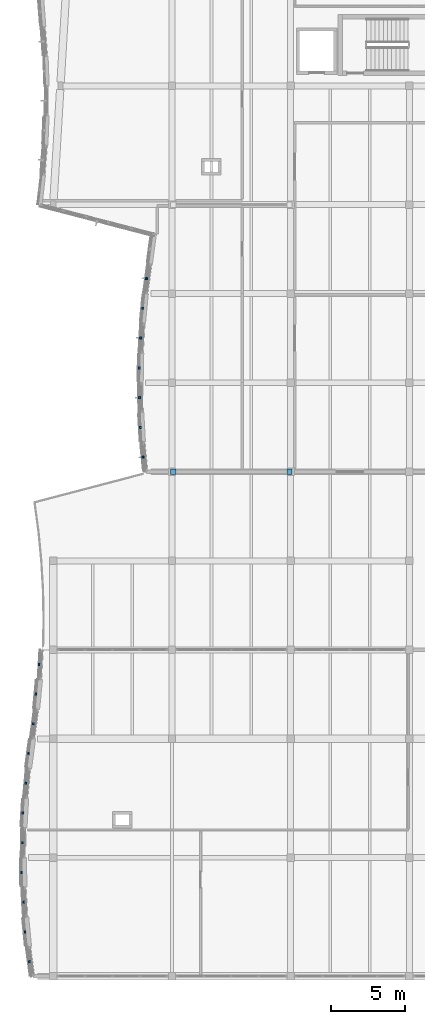
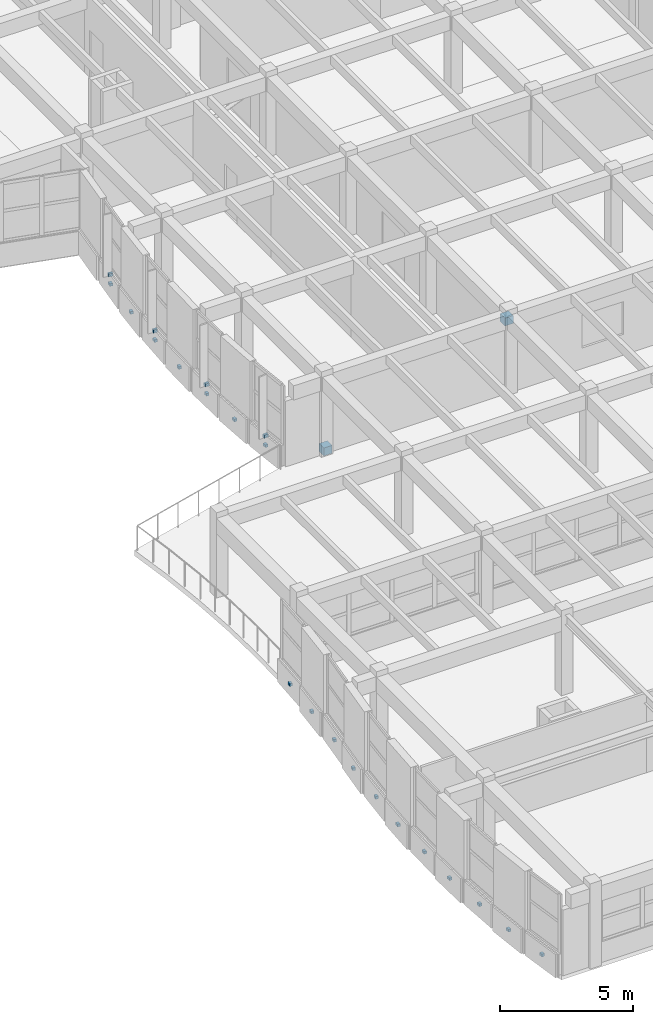
# One storey, part 67 of 89: 24 discrete accessories.
"""IFC4 building model written with IfcOpenShell, lengths in metres."""

from ifc_helpers import new_model, si_unit, direction, frame, origin, origin_2d, place, context, subcontext, project, spatial, rectangle, extrude, material, type_object, element, save


model = new_model("IFC4")

# Units and contexts
model_context = context("Model", 3, precision=1e-05, world=origin(), true_north=direction((0.0, 1.0)))
body_context = subcontext(model_context, "Body", "Model", "MODEL_VIEW")
ifc_project = project(units=[si_unit("LENGTHUNIT", "METRE"), si_unit("AREAUNIT", "SQUARE_METRE"), si_unit("VOLUMEUNIT", "CUBIC_METRE"), si_unit("PLANEANGLEUNIT", "RADIAN"), si_unit("MASSUNIT", "GRAM", prefix="KILO")], contexts=[model_context])

# Site, building, storey
site_placement = place(None, origin())
site = spatial("IfcSite", under=ifc_project, at=site_placement, CompositionType="ELEMENT")
building_placement = place(site_placement, origin())
building = spatial("IfcBuilding", under=site, at=building_placement, Name="Tonlespit Floodbar School", CompositionType="ELEMENT")
storey_placement = place(building_placement, frame((0.0, 0.0, 4.5)))
storey = spatial("IfcBuildingStorey", under=building, at=storey_placement, Name="L01", CompositionType="ELEMENT", Elevation=4.5)

# Discrete accessories
ifc_material_1 = material(Name="Galvanised Steel", Category="steel")
discrete_accessory_type_1 = type_object("IfcDiscreteAccessoryType", Name="Bracket_Facade_S355", PredefinedType="BRACKET", material=ifc_material_1)
discrete_accessory_1_placement = place(storey_placement, frame((10.05224609375, 38.987548828125, 0.35498046875), z_axis=(0.0, 0.0, 1.0), x_axis=(-0.096153248998, 0.995366541887, 0.0)))
element("IfcDiscreteAccessory", 1, at=discrete_accessory_1_placement, inside=storey, type_object=discrete_accessory_type_1, Name="L01 white band support bracket 0514", PredefinedType="BRACKET", context=body_context, shape_type="SweptSolid", body=[
    extrude(rectangle(XDim=0.159912109375, YDim=0.1201171875, at=origin_2d()), origin(), (0.0, 0.0, 1.0), 0.1201171875),
])
discrete_accessory_2_placement = place(storey_placement, frame((10.042236328125, 38.986572265625, 0.7802734375), z_axis=(0.0, 0.0, 1.0), x_axis=(-0.096153248998, 0.995366541887, 0.0)))
element("IfcDiscreteAccessory", 2, at=discrete_accessory_2_placement, inside=storey, type_object=discrete_accessory_type_1, Name="Solar fin support bracket 132", PredefinedType="BRACKET", context=body_context, shape_type="SweptSolid", body=[
    extrude(rectangle(XDim=0.1201171875, YDim=0.179931640625, at=origin_2d()), origin(), (0.0, 0.0, 1.0), 0.139892578125),
])
for number, where, z_axis, x_axis, name in (
    (3, (9.867431640625, 40.99072265625, 0.3798828125), (0.0, 0.0, 1.0), (-0.057703421212, 0.998333769428, 0.0), "L01 white band support bracket 0515"),
    (4, (9.8203125, 42.99755859375, 0.35498046875), (0.0, 0.0, 1.0), (-0.01924630259, 0.999814772764, 0.0), "L01 white band support bracket 0516"),
):
    element("IfcDiscreteAccessory", number, at=place(storey_placement, frame(where, z_axis=z_axis, x_axis=x_axis)), inside=storey, type_object=discrete_accessory_type_1, Name=name, PredefinedType="BRACKET", context=body_context, shape_type="SweptSolid", body=[
        extrude(rectangle(XDim=0.159912109375, YDim=0.1201171875, at=origin_2d()), origin(), (0.0, 0.0, 1.0), 0.1201171875),
    ])
discrete_accessory_3_placement = place(storey_placement, frame((9.810302734375, 42.997314453125, 0.7802734375), z_axis=(0.0, 0.0, 1.0), x_axis=(-0.01924630259, 0.999814772764, 0.0)))
element("IfcDiscreteAccessory", 5, at=discrete_accessory_3_placement, inside=storey, type_object=discrete_accessory_type_1, Name="Solar fin support bracket 133", PredefinedType="BRACKET", context=body_context, shape_type="SweptSolid", body=[
    extrude(rectangle(XDim=0.1201171875, YDim=0.179931640625, at=origin_2d()), origin(), (0.0, 0.0, 1.0), 0.139892578125),
])
for number, where, z_axis, x_axis, name in (
    (6, (9.790283203125, 45.003173828125, 0.3798828125), (0.0, 0.0, 1.0), (0.01924630259, 0.999814772764, 0.0), "L01 white band support bracket 0517"),
    (7, (9.8974609375, 47.007568359375, 0.35498046875), (0.0, 0.0, 1.0), (0.057703421212, 0.998333769428, 0.0), "L01 white band support bracket 0518"),
):
    element("IfcDiscreteAccessory", number, at=place(storey_placement, frame(where, z_axis=z_axis, x_axis=x_axis)), inside=storey, type_object=discrete_accessory_type_1, Name=name, PredefinedType="BRACKET", context=body_context, shape_type="SweptSolid", body=[
        extrude(rectangle(XDim=0.159912109375, YDim=0.1201171875, at=origin_2d()), origin(), (0.0, 0.0, 1.0), 0.1201171875),
    ])
discrete_accessory_4_placement = place(storey_placement, frame((9.887451171875, 47.008056640625, 0.7802734375), z_axis=(0.0, 0.0, 1.0), x_axis=(0.057703421212, 0.998333769428, 0.0)))
element("IfcDiscreteAccessory", 8, at=discrete_accessory_4_placement, inside=storey, type_object=discrete_accessory_type_1, Name="Solar fin support bracket 134", PredefinedType="BRACKET", context=body_context, shape_type="SweptSolid", body=[
    extrude(rectangle(XDim=0.1201171875, YDim=0.179931640625, at=origin_2d()), origin(), (0.0, 0.0, 1.0), 0.139892578125),
])
for number, where, z_axis, x_axis, name in (
    (9, (10.022216796875, 49.015380859375, 0.3798828125), (0.0, 0.0, 1.0), (0.096153248998, 0.995366541887, 0.0), "L01 white band support bracket 0519"),
    (10, (10.285400390625, 51.017578125, 0.35498046875), (0.0, 0.0, 1.0), (0.134662424626, 0.990891533617, 0.0), "L01 white band support bracket 0520"),
):
    element("IfcDiscreteAccessory", number, at=place(storey_placement, frame(where, z_axis=z_axis, x_axis=x_axis)), inside=storey, type_object=discrete_accessory_type_1, Name=name, PredefinedType="BRACKET", context=body_context, shape_type="SweptSolid", body=[
        extrude(rectangle(XDim=0.159912109375, YDim=0.1201171875, at=origin_2d()), origin(), (0.0, 0.0, 1.0), 0.1201171875),
    ])
discrete_accessory_5_placement = place(storey_placement, frame((10.275390625, 51.018798828125, 0.7802734375), z_axis=(0.0, 0.0, 1.0), x_axis=(0.134662424626, 0.990891533617, 0.0)))
element("IfcDiscreteAccessory", 11, at=discrete_accessory_5_placement, inside=storey, type_object=discrete_accessory_type_1, Name="Solar fin support bracket 135", PredefinedType="BRACKET", context=body_context, shape_type="SweptSolid", body=[
    extrude(rectangle(XDim=0.1201171875, YDim=0.179931640625, at=origin_2d()), origin(), (0.0, 0.0, 1.0), 0.139892578125),
])
for number, where, z_axis, x_axis, name in (
    (12, (2.38525390625, 4.982421875, 0.35498046875), (0.0, 0.0, 1.0), (-0.134662424626, 0.990891533617, 0.0), "L01 white band support bracket 0763"),
    (13, (2.092529296875, 6.981689453125, 0.3798828125), (0.0, 0.0, 1.0), (-0.096153248998, 0.995366541887, 0.0), "L01 white band support bracket 0764"),
    (14, (1.997314453125, 8.992431640625, 0.35498046875), (0.0, 0.0, 1.0), (-0.057703421212, 0.998333769428, 0.0), "L01 white band support bracket 0765"),
    (15, (1.860107421875, 10.996337890625, 0.3798828125), (0.0, 0.0, 1.0), (-0.01924630259, 0.999814772764, 0.0), "L01 white band support bracket 0766"),
    (16, (1.920166015625, 13.00244140625, 0.35498046875), (0.0, 0.0, 1.0), (0.01924630259, 0.999814772764, 0.0), "L01 white band support bracket 0767"),
    (17, (1.9375, 15.010986328125, 0.3798828125), (0.0, 0.0, 1.0), (0.057703421212, 0.998333769428, 0.0), "L01 white band support bracket 0768"),
    (18, (2.152099609375, 17.012451171875, 0.35498046875), (0.0, 0.0, 1.0), (0.096153248998, 0.995366541887, 0.0), "L01 white band support bracket 0769"),
    (19, (2.32568359375, 19.025634765625, 0.3798828125), (0.0, 0.0, 1.0), (0.134662424626, 0.990891533617, 0.0), "L01 white band support bracket 0770"),
    (20, (2.656982421875, 21.017578125, 0.35498046875), (0.0, 0.0, 1.0), (0.134662424626, 0.990891533617, 0.0), "L01 white band support bracket 0771"),
    (21, (2.829345703125, 23.018310546875, 0.3798828125), (0.0, 0.0, 1.0), (0.096153248998, 0.995366541887, 0.0), "L01 white band support bracket 0772"),
    (22, (3.04296875, 25.007568359375, 0.35498046875), (0.0, 0.0, 1.0), (0.057703421212, 0.998333769428, 0.0), "L01 white band support bracket 0773"),
):
    element("IfcDiscreteAccessory", number, at=place(storey_placement, frame(where, z_axis=z_axis, x_axis=x_axis)), inside=storey, type_object=discrete_accessory_type_1, Name=name, PredefinedType="BRACKET", context=body_context, shape_type="SweptSolid", body=[
        extrude(rectangle(XDim=0.159912109375, YDim=0.1201171875, at=origin_2d()), origin(), (0.0, 0.0, 1.0), 0.1201171875),
    ])
ifc_material_2 = material(Name="Steel S355", Category="steel")
discrete_accessory_type_2 = type_object("IfcDiscreteAccessoryType", Name="GussetShoe_Brace_S355", PredefinedType="SHOE", material=ifc_material_2)
for number, where, z_axis, x_axis, name in (
    (23, (12.080078125, 38.0, -0.0302734375), (0.0, 0.0, 1.0), (1.0, 0.0, 0.0), "L01 brace and chord end gusset shoe 0037"),
    (24, (19.919921875, 38.0, 3.169921875), (0.0, 0.0, 1.0), (1.0, 0.0, 0.0), "L01 brace and chord end gusset shoe 0038"),
):
    element("IfcDiscreteAccessory", number, at=place(storey_placement, frame(where, z_axis=z_axis, x_axis=x_axis)), inside=storey, type_object=discrete_accessory_type_2, Name=name, PredefinedType="SHOE", context=body_context, shape_type="SweptSolid", body=[
        extrude(rectangle(XDim=0.360107421875, YDim=0.360107421875, at=origin_2d()), origin(), (0.0, 0.0, 1.0), 0.360107421875),
    ])

save(model, "model.ifc")
